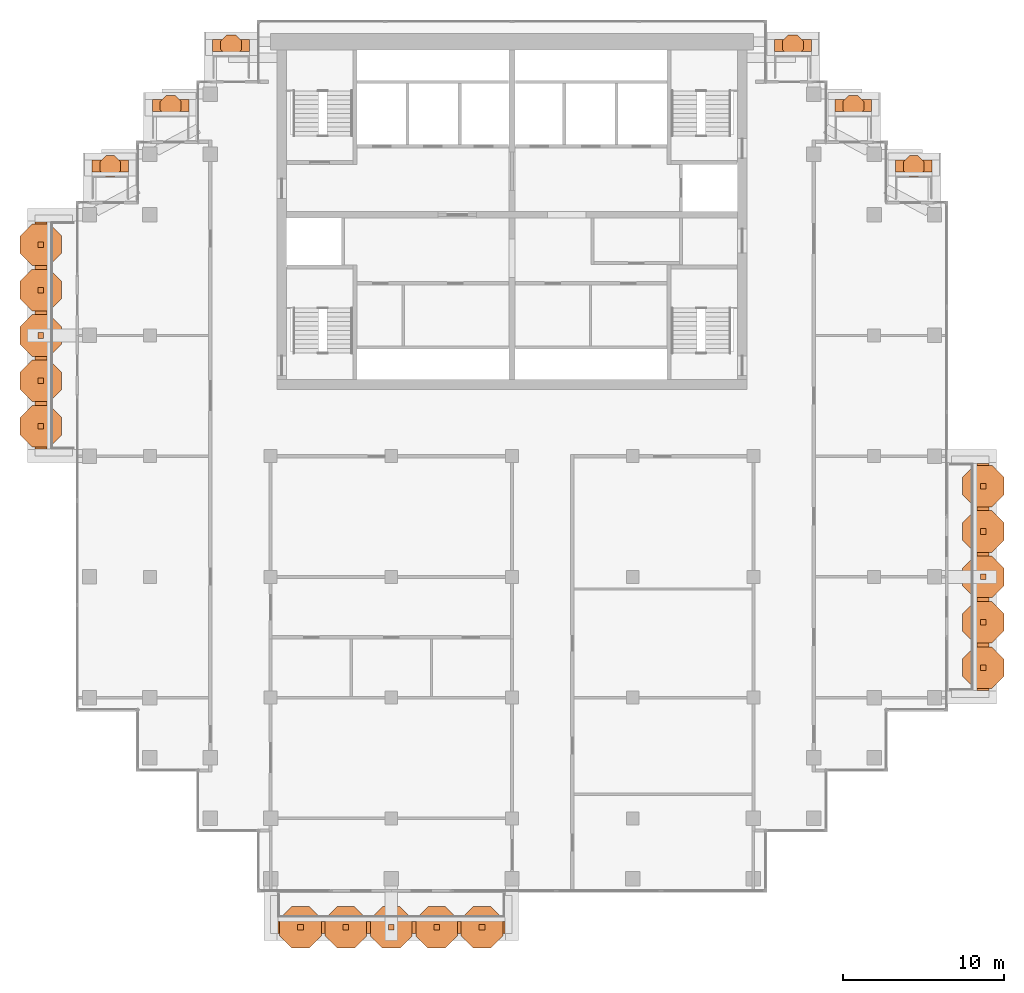
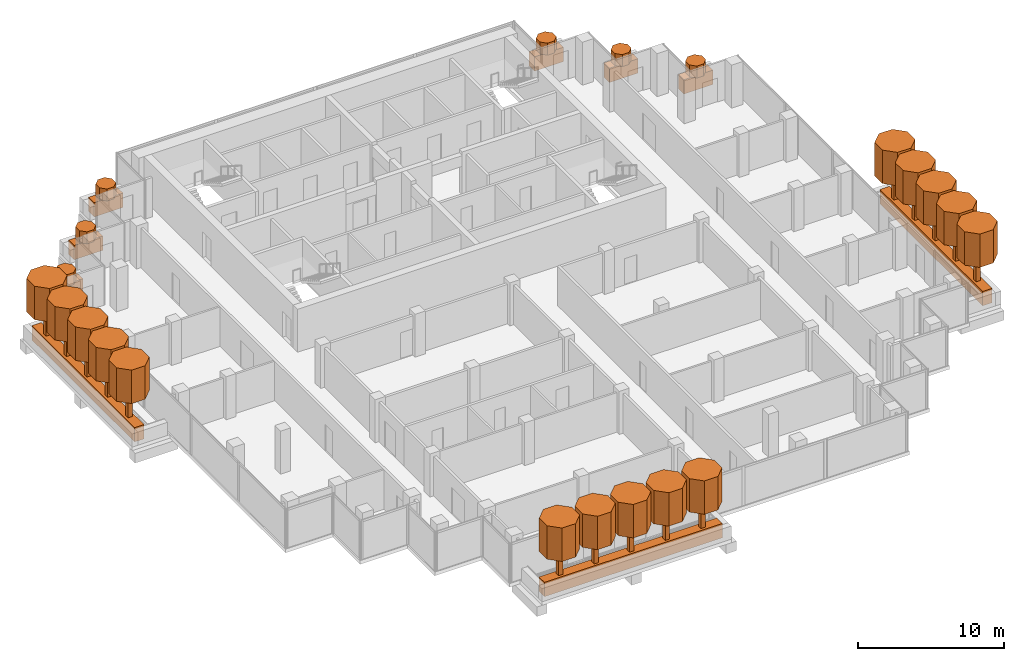
# One storey, part 18 of 18: 45 geographic elements.
"""IFC4 building model written with IfcOpenShell, lengths in metres."""

from ifc_helpers import new_model, si_unit, direction, frame, origin, origin_2d, place, context, subcontext, project, spatial, polyline, rectangle, outline, extrude, material, material_profile, profile_set, type_object, element, save


model = new_model("IFC4")

# Units and contexts
model_context = context("Model", 3, precision=1e-05, world=origin(), true_north=direction((0.0, 1.0)))
body_context = subcontext(model_context, "Body", "Model", "MODEL_VIEW")
ifc_project = project(units=[si_unit("LENGTHUNIT", "METRE"), si_unit("AREAUNIT", "SQUARE_METRE"), si_unit("VOLUMEUNIT", "CUBIC_METRE"), si_unit("PLANEANGLEUNIT", "RADIAN"), si_unit("MASSUNIT", "GRAM", prefix="KILO")], contexts=[model_context])

# Site, building, storey
site_placement = place(None, origin())
site = spatial("IfcSite", under=ifc_project, at=site_placement, CompositionType="ELEMENT")
building_placement = place(site_placement, origin())
building = spatial("IfcBuilding", under=site, at=building_placement, Name="Pilkhan Gate Tower", CompositionType="ELEMENT")
storey_placement = place(building_placement, frame((0.0, 0.0, 242.699951171875)))
storey = spatial("IfcBuildingStorey", under=building, at=storey_placement, Name="L63", CompositionType="ELEMENT", Elevation=242.699951171875)

# Geographic elements
ifc_material_1 = material(Name="Foliage")
ifc_material_profile_1 = material_profile(ifc_material_1, rectangle(XDim=0.75, YDim=1.199951171875, at=origin_2d()), Name="Bed 750x1200")
ifc_profile_set_1 = profile_set([ifc_material_profile_1], Name="Foliage")
geographic_element_type_1 = type_object("IfcGeographicElementType", Name="Planting bed PB1", PredefinedType="USERDEFINED", material=ifc_profile_set_1)
for number, where, z_axis, x_axis, name in (
    (1, (60.449951171875, 38.22509765625, 0.60009765625), (1.0, 0.0, 0.0), (0.0, 1.0, 0.0), "Balcony L63 S planting bed"),
    (2, (104.27490234375, 52.949951171875, 0.60009765625), (0.0, 1.0, 0.0), (-1.0, 0.0, 0.0), "Balcony L63 E planting bed"),
):
    element("IfcGeographicElement", number, at=place(storey_placement, frame(where, z_axis=z_axis, x_axis=x_axis)), inside=storey, type_object=geographic_element_type_1, Name=name, ObjectType="PLANTING BED", PredefinedType="USERDEFINED", context=body_context, shape_type="SweptSolid", body=[
        extrude(rectangle(XDim=0.75, YDim=1.199951171875, at=origin_2d()), origin(), (0.0, 0.0, 1.0), 14.10009765625),
    ])
for number, where, z_axis, x_axis, name in (
    (3, (56.39990234375, 93.02490234375, 0.60009765625), (1.0, 0.0, 0.0), (0.0, 1.0, 0.0), "Balcony L63 N planting bed"),
    (4, (91.300048828125, 93.02490234375, 0.60009765625), (1.0, 0.0, 0.0), (0.0, 1.0, 0.0), "Balcony L63 N planting bed"),
):
    element("IfcGeographicElement", number, at=place(storey_placement, frame(where, z_axis=z_axis, x_axis=x_axis)), inside=storey, type_object=geographic_element_type_1, Name=name, ObjectType="PLANTING BED", PredefinedType="USERDEFINED", context=body_context, shape_type="SweptSolid", body=[
        extrude(rectangle(XDim=0.75, YDim=1.199951171875, at=origin_2d()), origin(), (0.0, 0.0, 1.0), 2.300048828125),
    ])
for number, where, z_axis, x_axis, name in (
    (5, (52.64990234375, 89.27490234375, 0.60009765625), (1.0, 0.0, 0.0), (0.0, 1.0, 0.0), "Balcony L63 N planting bed"),
    (6, (48.89990234375, 85.52490234375, 0.60009765625), (1.0, 0.0, 0.0), (0.0, 1.0, 0.0), "Balcony L63 N planting bed"),
    (7, (95.070068359375, 89.27490234375, 0.60009765625), (1.0, 0.0, 0.0), (0.0, 1.0, 0.0), "Balcony L63 N planting bed"),
    (8, (98.820068359375, 85.52490234375, 0.60009765625), (1.0, 0.0, 0.0), (0.0, 1.0, 0.0), "Balcony L63 N planting bed"),
):
    element("IfcGeographicElement", number, at=place(storey_placement, frame(where, z_axis=z_axis, x_axis=x_axis)), inside=storey, type_object=geographic_element_type_1, Name=name, ObjectType="PLANTING BED", PredefinedType="USERDEFINED", context=body_context, shape_type="SweptSolid", body=[
        extrude(rectangle(XDim=0.75, YDim=1.199951171875, at=origin_2d()), origin(), (0.0, 0.0, 1.0), 2.280029296875),
    ])
geographic_element_placement = place(storey_placement, frame((45.72509765625, 67.949951171875, 0.60009765625), z_axis=(0.0, 1.0, 0.0), x_axis=(-1.0, 0.0, 0.0)))
element("IfcGeographicElement", 9, at=geographic_element_placement, inside=storey, type_object=geographic_element_type_1, Name="Balcony L63 W planting bed", ObjectType="PLANTING BED", PredefinedType="USERDEFINED", context=body_context, shape_type="SweptSolid", body=[
    extrude(rectangle(XDim=0.75, YDim=1.199951171875, at=origin_2d()), origin(), (0.0, 0.0, 1.0), 14.10009765625),
])
ifc_material_profile_2 = material_profile(ifc_material_1, outline(polyline([(0.646728515625, 0.267822265625), (0.267822265625, 0.646728515625), (-0.267822265625, 0.646728515625), (-0.646728515625, 0.267822265625), (-0.646728515625, -0.267822265625), (-0.267822265625, -0.646728515625), (0.267822265625, -0.646728515625), (0.646728515625, -0.267822265625), (0.646728515625, 0.267822265625)])), Name="Shrub D1.4")
ifc_profile_set_2 = profile_set([ifc_material_profile_2], Name="Foliage")
geographic_element_type_2 = type_object("IfcGeographicElementType", Name="Shrub SH07", PredefinedType="USERDEFINED", material=ifc_profile_set_2)
for number, where, z_axis, x_axis, name in (
    (10, (57.550048828125, 93.02490234375, 1.199951171875), (0.0, 0.0, 1.0), (1.0, 0.0, 0.0), "Shrub L63 N 1"),
    (11, (92.449951171875, 93.02490234375, 1.199951171875), (0.0, 0.0, 1.0), (1.0, 0.0, 0.0), "Shrub L63 N 1"),
    (12, (53.7900390625, 89.27490234375, 1.199951171875), (0.0, 0.0, 1.0), (1.0, 0.0, 0.0), "Shrub L63 N 1"),
    (13, (50.0400390625, 85.52490234375, 1.199951171875), (0.0, 0.0, 1.0), (1.0, 0.0, 0.0), "Shrub L63 N 1"),
    (14, (96.2099609375, 89.27490234375, 1.199951171875), (0.0, 0.0, 1.0), (1.0, 0.0, 0.0), "Shrub L63 N 1"),
    (15, (99.9599609375, 85.52490234375, 1.199951171875), (0.0, 0.0, 1.0), (1.0, 0.0, 0.0), "Shrub L63 N 1"),
):
    element("IfcGeographicElement", number, at=place(storey_placement, frame(where, z_axis=z_axis, x_axis=x_axis)), inside=storey, type_object=geographic_element_type_2, Name=name, ObjectType="SHRUB", PredefinedType="USERDEFINED", context=body_context, shape_type="SweptSolid", body=[
        extrude(outline(polyline([(0.646728515625, 0.267822265625), (0.267822265625, 0.646728515625), (-0.267822265625, 0.646728515625), (-0.646728515625, 0.267822265625), (-0.646728515625, -0.267822265625), (-0.267822265625, -0.646728515625), (0.267822265625, -0.646728515625), (0.646728515625, -0.267822265625), (0.646728515625, 0.267822265625)])), origin(), (0.0, 0.0, 1.0), 1.0),
    ])
ifc_material_profile_3 = material_profile(ifc_material_1, outline(polyline([(1.29345703125, 0.535888671875), (0.535888671875, 1.29345703125), (-0.535888671875, 1.29345703125), (-1.29345703125, 0.535888671875), (-1.29345703125, -0.535888671875), (-0.535888671875, -1.29345703125), (0.535888671875, -1.29345703125), (1.29345703125, -0.535888671875), (1.29345703125, 0.535888671875)])), Name="Canopy D2.8")
ifc_profile_set_3 = profile_set([ifc_material_profile_3], Name="Foliage")
geographic_element_type_3 = type_object("IfcGeographicElementType", Name="Tree canopy TC14", PredefinedType="USERDEFINED", material=ifc_profile_set_3)
for number, where, z_axis, x_axis, name in (
    (16, (61.860107421875, 38.22509765625, 3.199951171875), (0.0, 0.0, 1.0), (1.0, 0.0, 0.0), "Tree L63 S 1 canopy"),
    (17, (64.679931640625, 38.22509765625, 3.199951171875), (0.0, 0.0, 1.0), (1.0, 0.0, 0.0), "Tree L63 S 2 canopy"),
    (18, (67.5, 38.22509765625, 3.199951171875), (0.0, 0.0, 1.0), (1.0, 0.0, 0.0), "Tree L63 S 3 canopy"),
    (19, (70.320068359375, 38.22509765625, 3.199951171875), (0.0, 0.0, 1.0), (1.0, 0.0, 0.0), "Tree L63 S 4 canopy"),
    (20, (73.139892578125, 38.22509765625, 3.199951171875), (0.0, 0.0, 1.0), (1.0, 0.0, 0.0), "Tree L63 S 5 canopy"),
    (21, (104.27490234375, 54.360107421875, 3.199951171875), (0.0, 0.0, 1.0), (1.0, 0.0, 0.0), "Tree L63 E 1 canopy"),
    (22, (104.27490234375, 57.179931640625, 3.199951171875), (0.0, 0.0, 1.0), (1.0, 0.0, 0.0), "Tree L63 E 2 canopy"),
    (23, (104.27490234375, 60.0, 3.199951171875), (0.0, 0.0, 1.0), (1.0, 0.0, 0.0), "Tree L63 E 3 canopy"),
    (24, (104.27490234375, 62.820068359375, 3.199951171875), (0.0, 0.0, 1.0), (1.0, 0.0, 0.0), "Tree L63 E 4 canopy"),
    (25, (104.27490234375, 65.639892578125, 3.199951171875), (0.0, 0.0, 1.0), (1.0, 0.0, 0.0), "Tree L63 E 5 canopy"),
    (26, (45.72509765625, 69.360107421875, 3.199951171875), (0.0, 0.0, 1.0), (1.0, 0.0, 0.0), "Tree L63 W 1 canopy"),
    (27, (45.72509765625, 72.179931640625, 3.199951171875), (0.0, 0.0, 1.0), (1.0, 0.0, 0.0), "Tree L63 W 2 canopy"),
    (28, (45.72509765625, 75.0, 3.199951171875), (0.0, 0.0, 1.0), (1.0, 0.0, 0.0), "Tree L63 W 3 canopy"),
    (29, (45.72509765625, 77.820068359375, 3.199951171875), (0.0, 0.0, 1.0), (1.0, 0.0, 0.0), "Tree L63 W 4 canopy"),
    (30, (45.72509765625, 80.639892578125, 3.199951171875), (0.0, 0.0, 1.0), (1.0, 0.0, 0.0), "Tree L63 W 5 canopy"),
):
    element("IfcGeographicElement", number, at=place(storey_placement, frame(where, z_axis=z_axis, x_axis=x_axis)), inside=storey, type_object=geographic_element_type_3, Name=name, ObjectType="TREE", PredefinedType="USERDEFINED", context=body_context, shape_type="SweptSolid", body=[
        extrude(outline(polyline([(1.29345703125, 0.535888671875), (0.535888671875, 1.29345703125), (-0.535888671875, 1.29345703125), (-1.29345703125, 0.535888671875), (-1.29345703125, -0.535888671875), (-0.535888671875, -1.29345703125), (0.535888671875, -1.29345703125), (1.29345703125, -0.535888671875), (1.29345703125, 0.535888671875)])), origin(), (0.0, 0.0, 1.0), 2.800048828125),
    ])
ifc_material_2 = material(Name="Timber trunk", Category="wood")
geographic_element_type_4 = type_object("IfcGeographicElementType", Name="Tree trunk TT1", PredefinedType="USERDEFINED", material=ifc_material_2)
for number, where, z_axis, x_axis, name in (
    (31, (61.860107421875, 38.22509765625, 1.199951171875), (0.0, 0.0, 1.0), (1.0, 0.0, 0.0), "Tree L63 S 1 trunk"),
    (32, (64.679931640625, 38.22509765625, 1.199951171875), (0.0, 0.0, 1.0), (1.0, 0.0, 0.0), "Tree L63 S 2 trunk"),
    (33, (67.5, 38.22509765625, 1.199951171875), (0.0, 0.0, 1.0), (1.0, 0.0, 0.0), "Tree L63 S 3 trunk"),
    (34, (70.320068359375, 38.22509765625, 1.199951171875), (0.0, 0.0, 1.0), (1.0, 0.0, 0.0), "Tree L63 S 4 trunk"),
    (35, (73.139892578125, 38.22509765625, 1.199951171875), (0.0, 0.0, 1.0), (1.0, 0.0, 0.0), "Tree L63 S 5 trunk"),
    (36, (104.27490234375, 54.360107421875, 1.199951171875), (0.0, 0.0, 1.0), (1.0, 0.0, 0.0), "Tree L63 E 1 trunk"),
    (37, (104.27490234375, 57.179931640625, 1.199951171875), (0.0, 0.0, 1.0), (1.0, 0.0, 0.0), "Tree L63 E 2 trunk"),
    (38, (104.27490234375, 60.0, 1.199951171875), (0.0, 0.0, 1.0), (1.0, 0.0, 0.0), "Tree L63 E 3 trunk"),
    (39, (104.27490234375, 62.820068359375, 1.199951171875), (0.0, 0.0, 1.0), (1.0, 0.0, 0.0), "Tree L63 E 4 trunk"),
    (40, (104.27490234375, 65.639892578125, 1.199951171875), (0.0, 0.0, 1.0), (1.0, 0.0, 0.0), "Tree L63 E 5 trunk"),
    (41, (45.72509765625, 69.360107421875, 1.199951171875), (0.0, 0.0, 1.0), (1.0, 0.0, 0.0), "Tree L63 W 1 trunk"),
    (42, (45.72509765625, 72.179931640625, 1.199951171875), (0.0, 0.0, 1.0), (1.0, 0.0, 0.0), "Tree L63 W 2 trunk"),
    (43, (45.72509765625, 75.0, 1.199951171875), (0.0, 0.0, 1.0), (1.0, 0.0, 0.0), "Tree L63 W 3 trunk"),
    (44, (45.72509765625, 77.820068359375, 1.199951171875), (0.0, 0.0, 1.0), (1.0, 0.0, 0.0), "Tree L63 W 4 trunk"),
    (45, (45.72509765625, 80.639892578125, 1.199951171875), (0.0, 0.0, 1.0), (1.0, 0.0, 0.0), "Tree L63 W 5 trunk"),
):
    element("IfcGeographicElement", number, at=place(storey_placement, frame(where, z_axis=z_axis, x_axis=x_axis)), inside=storey, type_object=geographic_element_type_4, Name=name, ObjectType="TREE", PredefinedType="USERDEFINED", context=body_context, shape_type="SweptSolid", body=[
        extrude(rectangle(XDim=0.35009765625, YDim=0.35009765625, at=origin_2d()), origin(), (0.0, 0.0, 1.0), 2.0),
    ])

save(model, "model.ifc")
